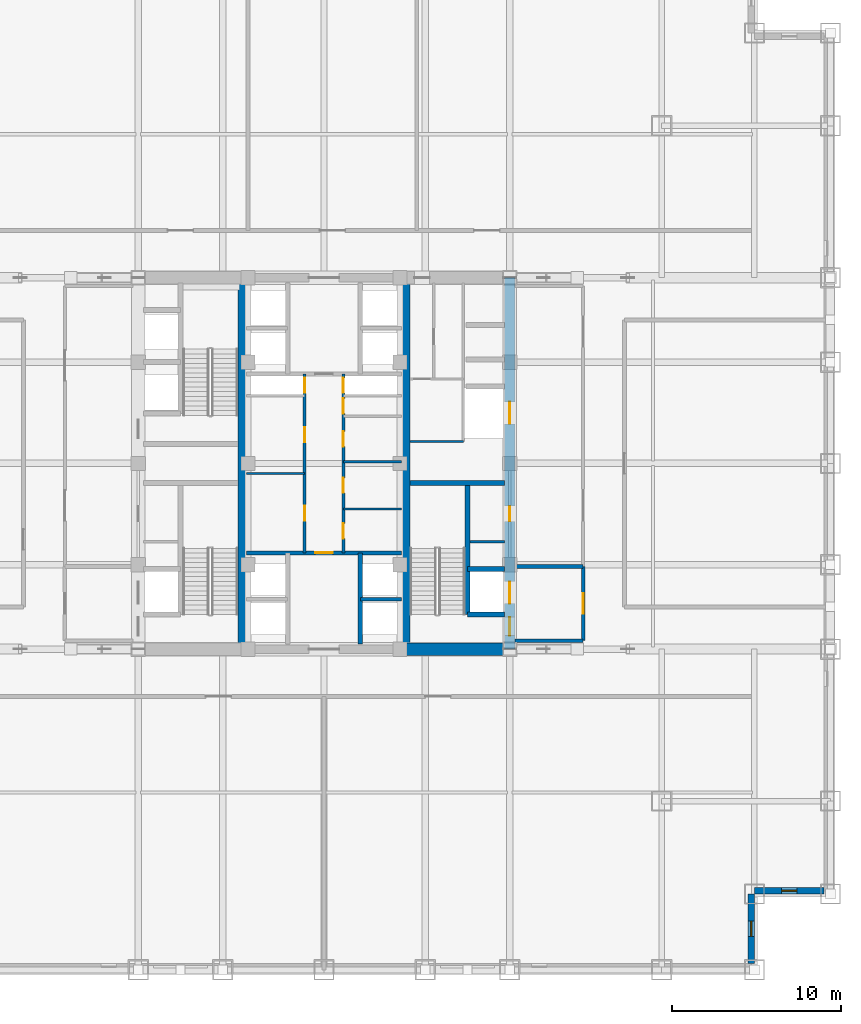
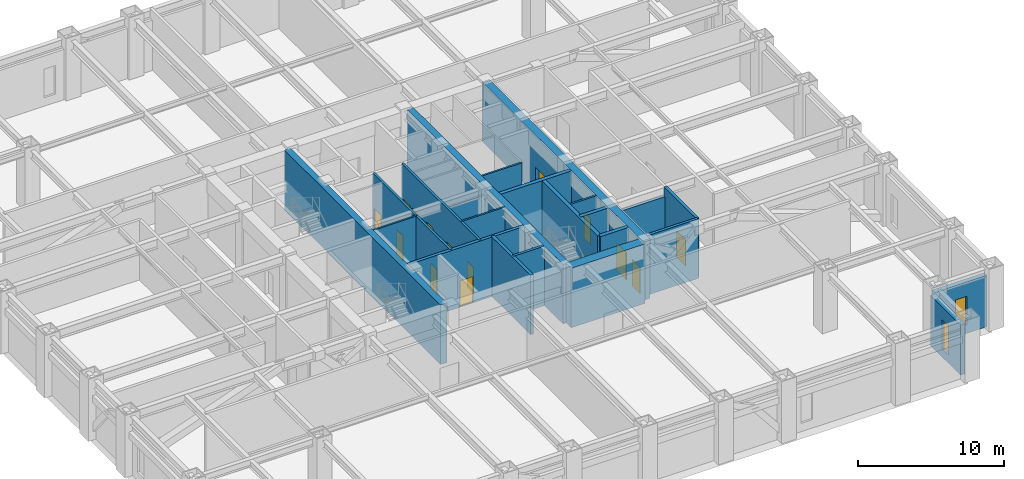
# One storey, part 8 of 12: 23 walls, 14 doors, 2 windows, 16 openings.
"""IFC4 building model written with IfcOpenShell, lengths in metres."""

from ifc_helpers import new_model, si_unit, direction, frame, frame_2d, origin, place, context, subcontext, project, spatial, rectangle, extrude, source, transform, mapped, material, layer, layer_set, type_object, element, fill, save


model = new_model("IFC4")

# Units and contexts
model_context = context("Model", 3, precision=1e-05, world=origin(), true_north=direction((0.0, 1.0)))
body_context = subcontext(model_context, "Body", "Model", "MODEL_VIEW")
ifc_project = project(units=[si_unit("LENGTHUNIT", "METRE"), si_unit("AREAUNIT", "SQUARE_METRE"), si_unit("VOLUMEUNIT", "CUBIC_METRE"), si_unit("PLANEANGLEUNIT", "RADIAN"), si_unit("MASSUNIT", "GRAM", prefix="KILO")], contexts=[model_context])

# Site, building, storey
site_placement = place(None, origin())
site = spatial("IfcSite", under=ifc_project, at=site_placement, CompositionType="ELEMENT")
building_placement = place(site_placement, origin())
building = spatial("IfcBuilding", under=site, at=building_placement, Name="Khorayat Bourse Tower", CompositionType="ELEMENT")
storey_placement = place(building_placement, frame((0.0, 0.0, 149.89990234375)))
storey = spatial("IfcBuildingStorey", under=building, at=storey_placement, Name="L34", CompositionType="ELEMENT", Elevation=149.89990234375)

# Wall, openings, doors
ifc_material_1 = material(Name="Concrete C60/75", Category="concrete")
ifc_layer_1 = layer(ifc_material_1, 0.60009765625)
ifc_layer_set_1 = layer_set([ifc_layer_1], Name="Concrete C60/75")
wall_type_1 = type_object("IfcWallType", Name="WAL-CORE-600", PredefinedType="SHEAR", material=ifc_layer_set_1)
shared_shape_1 = source(origin(), body_context, "Body", "SweptSolid", [
    extrude(rectangle(XDim=22.0, YDim=0.60009765625, at=frame_2d((11.0, 0.0))), origin(), (0.0, 0.0, 1.0), 4.97998046875),
])
wall_1_placement = place(storey_placement, frame((11.0, -11.0, 0.0), z_axis=(0.0, 0.0, 1.0), x_axis=(0.0, 1.0, 0.0)))
wall_1 = element("IfcWall", 1, at=wall_1_placement, inside=storey, type_object=wall_type_1, Name="L34 Core Shear Wall CORE-E", PredefinedType="SHEAR", context=body_context, shape_type="MappedRepresentation", body=[
    mapped(shared_shape_1, transform((0.0, 0.0, 0.0), scale=1.0)),
])
shared_shape_2 = source(origin(), body_context, "Body", "SweptSolid", [
    extrude(rectangle(XDim=1.10009765625, YDim=2.199951171875, at=frame_2d((0.550048828125, 1.10009765625))), frame((0.0, 0.31005859375, 0.0), z_axis=(0.0, -1.0, 0.0), x_axis=(1.0, 0.0, 0.0)), (0.0, 0.0, 1.0), 0.6201171875),
])
opening_1_placement = place(wall_1_placement, frame((0.800048828125, 0.0, 0.0)))
opening_1 = element("IfcOpeningElement", 2, at=opening_1_placement, cuts=wall_1, Name="Opening DI-01", PredefinedType="OPENING", context=body_context, shape_type="MappedRepresentation", body=[
    mapped(shared_shape_2, transform((0.0, 0.0, 0.0), scale=1.0)),
])
shared_shape_3 = source(origin(), body_context, "Body", "SweptSolid", [
    extrude(rectangle(XDim=0.89990234375, YDim=2.14990234375, at=frame_2d((0.449951171875, 1.074951171875))), frame((0.0, 0.31005859375, 0.0), z_axis=(0.0, -1.0, 0.0), x_axis=(1.0, 0.0, 0.0)), (0.0, 0.0, 1.0), 0.6201171875),
])
opening_2_placement = place(wall_1_placement, frame((7.574951171875, 0.0, 0.0)))
opening_2 = element("IfcOpeningElement", 3, at=opening_2_placement, cuts=wall_1, Name="Opening DI-06", PredefinedType="OPENING", context=body_context, shape_type="MappedRepresentation", body=[
    mapped(shared_shape_3, transform((0.0, 0.0, 0.0), scale=1.0)),
])
shared_shape_4 = source(origin(), body_context, "Body", "SweptSolid", [
    extrude(rectangle(XDim=1.300048828125, YDim=2.300048828125, at=frame_2d((0.64990234375, 1.14990234375))), frame((0.0, 0.31005859375, 0.0), z_axis=(0.0, -1.0, 0.0), x_axis=(1.0, 0.0, 0.0)), (0.0, 0.0, 1.0), 0.6201171875),
])
opening_3_placement = place(wall_1_placement, frame((2.699951171875, 0.0, 0.0)))
opening_3 = element("IfcOpeningElement", 4, at=opening_3_placement, cuts=wall_1, Name="Opening LD-02", PredefinedType="OPENING", context=body_context, shape_type="MappedRepresentation", body=[
    mapped(shared_shape_4, transform((0.0, 0.0, 0.0), scale=1.0)),
])
opening_4_placement = place(wall_1_placement, frame((13.35009765625, 0.0, 0.0)))
opening_4 = element("IfcOpeningElement", 5, at=opening_4_placement, cuts=wall_1, Name="Opening LD-02", PredefinedType="OPENING", context=body_context, shape_type="MappedRepresentation", body=[
    mapped(shared_shape_4, transform((0.0, 0.0, 0.0), scale=1.0)),
])
ifc_material_2 = material(Name="Fire-rated steel acoustic leaf", Category="steel")
door_type_1 = type_object("IfcDoorType", Name="DR-INT-STAIR-1100", OperationType="NOTDEFINED", PredefinedType="DOOR", material=ifc_material_2)
shared_shape_5 = source(origin(), body_context, "Body", "SweptSolid", [
    extrude(rectangle(XDim=1.10009765625, YDim=2.199951171875, at=frame_2d((0.550048828125, 1.10009765625))), frame((0.0, 0.02490234375, 0.0), z_axis=(0.0, -1.0, 0.0), x_axis=(1.0, 0.0, 0.0)), (0.0, 0.0, 1.0), 0.050048828125),
])
door_1_placement = place(opening_1_placement, origin())
door_1 = element("IfcDoor", 6, at=door_1_placement, inside=storey, type_object=door_type_1, Name="L34 Exit Stair 3 Door", OperationType="SINGLE_SWING_LEFT", OverallHeight=2.199951171875, OverallWidth=1.10009765625, PredefinedType="DOOR", context=body_context, shape_type="MappedRepresentation", body=[
    mapped(shared_shape_5, transform((0.0, 0.0, 0.0), scale=1.0)),
])
fill(opening_1, door_1)
ifc_material_3 = material(Name="Moisture-resistant laminate washroom door")
door_type_2 = type_object("IfcDoorType", Name="DR-INT-WC-900", OperationType="NOTDEFINED", PredefinedType="DOOR", material=ifc_material_3)
shared_shape_6 = source(origin(), body_context, "Body", "SweptSolid", [
    extrude(rectangle(XDim=0.89990234375, YDim=2.14990234375, at=frame_2d((0.449951171875, 1.074951171875))), frame((0.0, 0.02490234375, 0.0), z_axis=(0.0, -1.0, 0.0), x_axis=(1.0, 0.0, 0.0)), (0.0, 0.0, 1.0), 0.050048828125),
])
door_2_placement = place(opening_2_placement, origin())
door_2 = element("IfcDoor", 7, at=door_2_placement, inside=storey, type_object=door_type_2, Name="L34 Fiber Server Plant Room Door", OperationType="SINGLE_SWING_LEFT", OverallHeight=2.14990234375, OverallWidth=0.89990234375, PredefinedType="DOOR", context=body_context, shape_type="MappedRepresentation", body=[
    mapped(shared_shape_6, transform((0.0, 0.0, 0.0), scale=1.0)),
])
fill(opening_2, door_2)
ifc_material_4 = material(Name="Fire-rated stainless-steel sliding landing door", Category="steel")
door_type_3 = type_object("IfcDoorType", Name="DR-LIFT-FF-1300", OperationType="NOTDEFINED", PredefinedType="DOOR", material=ifc_material_4)
shared_shape_7 = source(origin(), body_context, "Body", "SweptSolid", [
    extrude(rectangle(XDim=1.300048828125, YDim=2.300048828125, at=frame_2d((0.64990234375, 1.14990234375))), frame((0.0, 0.02490234375, 0.0), z_axis=(0.0, -1.0, 0.0), x_axis=(1.0, 0.0, 0.0)), (0.0, 0.0, 1.0), 0.050048828125),
])
door_3_placement = place(opening_3_placement, origin())
door_3 = element("IfcDoor", 8, at=door_3_placement, inside=storey, type_object=door_type_3, Name="L34 Lift FFL-02 Sliding Landing Door", OperationType="SLIDING_TO_LEFT", OverallHeight=2.300048828125, OverallWidth=1.300048828125, PredefinedType="DOOR", context=body_context, shape_type="MappedRepresentation", body=[
    mapped(shared_shape_7, transform((0.0, 0.0, 0.0), scale=1.0)),
])
fill(opening_3, door_3)
door_4_placement = place(opening_4_placement, origin())
door_4 = element("IfcDoor", 9, at=door_4_placement, inside=storey, type_object=door_type_3, Name="L34 Lift SVL-01 Sliding Landing Door", OperationType="SLIDING_TO_LEFT", OverallHeight=2.300048828125, OverallWidth=1.300048828125, PredefinedType="DOOR", context=body_context, shape_type="MappedRepresentation", body=[
    mapped(shared_shape_7, transform((0.0, 0.0, 0.0), scale=1.0)),
])
fill(opening_4, door_4)

# Walls
ifc_material_5 = material(Name="Concrete C52/65", Category="concrete")
ifc_layer_2 = layer(ifc_material_5, 0.5)
ifc_layer_set_2 = layer_set([ifc_layer_2], Name="Concrete C52/65")
wall_type_2 = type_object("IfcWallType", Name="WAL-CORE-500", PredefinedType="SHEAR", material=ifc_layer_set_2)
shared_shape_8 = source(origin(), body_context, "Body", "SweptSolid", [
    extrude(rectangle(XDim=21.39990234375, YDim=0.5, at=frame_2d((10.699951171875, 0.0))), origin(), (0.0, 0.0, 1.0), 4.97998046875),
])
for number, where, z_axis, x_axis, name in (
    (10, (-4.85009765625, -10.699951171875, 0.0), (0.0, 0.0, 1.0), (0.0, 1.0, 0.0), "L34 Core Shear Wall PIER-W"),
    (11, (4.85009765625, -10.699951171875, 0.0), (0.0, 0.0, 1.0), (0.0, 1.0, 0.0), "L34 Core Shear Wall PIER-E"),
):
    element("IfcWall", number, at=place(storey_placement, frame(where, z_axis=z_axis, x_axis=x_axis)), inside=storey, type_object=wall_type_2, Name=name, PredefinedType="SHEAR", context=body_context, shape_type="MappedRepresentation", body=[
        mapped(shared_shape_8, transform((0.0, 0.0, 0.0), scale=1.0)),
    ])
ifc_material_6 = material(Name="Concrete C72/90", Category="concrete")
ifc_layer_3 = layer(ifc_material_6, 0.75)
ifc_layer_set_3 = layer_set([ifc_layer_3], Name="Concrete C72/90")
wall_type_3 = type_object("IfcWallType", Name="WAL-CORE-750", PredefinedType="SHEAR", material=ifc_layer_set_3)
shared_shape_9 = source(origin(), body_context, "Body", "SweptSolid", [
    extrude(rectangle(XDim=5.849853515625, YDim=0.75, at=frame_2d((2.9248046875, 0.0))), origin(), (0.0, 0.0, 1.0), 4.97998046875),
])
wall_2_placement = place(storey_placement, frame((4.85009765625, -11.0, 0.0), z_axis=(0.0, 0.0, 1.0), x_axis=(1.0, 0.0, 0.0)))
element("IfcWall", 12, at=wall_2_placement, inside=storey, type_object=wall_type_3, Name="L34 Core Shear Wall PIER-ES", PredefinedType="SHEAR", context=body_context, shape_type="MappedRepresentation", body=[
    mapped(shared_shape_9, transform((0.0, 0.0, 0.0), scale=1.0)),
])
ifc_material_7 = material(Name="Concrete C50/60", Category="concrete")
ifc_layer_4 = layer(ifc_material_7, 0.300048828125)
ifc_layer_set_4 = layer_set([ifc_layer_4], Name="Concrete C50/60")
wall_type_4 = type_object("IfcWallType", Name="WAL-SHAFT-300", PredefinedType="SHEAR", material=ifc_layer_set_4)
shared_shape_10 = source(origin(), body_context, "Body", "SweptSolid", [
    extrude(rectangle(XDim=5.599853515625, YDim=0.300048828125, at=frame_2d((2.7998046875, 0.0))), origin(), (0.0, 0.0, 1.0), 4.97998046875),
])
wall_3_placement = place(storey_placement, frame((5.10009765625, -1.14990234375, 0.0), z_axis=(0.0, 0.0, 1.0), x_axis=(1.0, 0.0, 0.0)))
element("IfcWall", 13, at=wall_3_placement, inside=storey, type_object=wall_type_4, Name="L34 Core Shear Wall ST3-DIV", PredefinedType="SHEAR", context=body_context, shape_type="MappedRepresentation", body=[
    mapped(shared_shape_10, transform((0.0, 0.0, 0.0), scale=1.0)),
])

# Wall, opening, window
ifc_material_8 = material(Name="Precast concrete C45/55", Category="concrete")
ifc_layer_5 = layer(ifc_material_8, 0.3798828125)
ifc_layer_set_5 = layer_set([ifc_layer_5], Name="Precast concrete C45/55")
wall_type_5 = type_object("IfcWallType", Name="WAL-EXT-STONE-380", PredefinedType="STANDARD", material=ifc_layer_set_5)
shared_shape_11 = source(origin(), body_context, "Body", "SweptSolid", [
    extrude(rectangle(XDim=4.1201171875, YDim=0.3798828125, at=frame_2d((2.06005859375, 0.0))), origin(), (0.0, 0.0, 1.0), 4.28515625),
])
wall_4_placement = place(storey_placement, frame((25.5, -25.31005859375, 0.0), z_axis=(0.0, 0.0, 1.0), x_axis=(1.0, 0.0, 0.0)))
wall_4 = element("IfcWall", 14, at=wall_4_placement, inside=storey, type_object=wall_type_5, Name="L34 Re-Entrant Notch Limestone Wall SE-H", PredefinedType="STANDARD", context=body_context, shape_type="MappedRepresentation", body=[
    mapped(shared_shape_11, transform((0.0, 0.0, 0.0), scale=1.0)),
])
shared_shape_12 = source(origin(), body_context, "Body", "SweptSolid", [
    extrude(rectangle(XDim=0.89990234375, YDim=2.39990234375, at=frame_2d((0.449951171875, 1.199951171875))), frame((0.0, 0.199951171875, 0.0), z_axis=(0.0, -1.0, 0.0), x_axis=(1.0, 0.0, 0.0)), (0.0, 0.0, 1.0), 0.39990234375),
])
opening_5_placement = place(wall_4_placement, frame((1.610107421875, 0.0, 0.699951171875)))
opening_5 = element("IfcOpeningElement", 15, at=opening_5_placement, cuts=wall_4, Name="Opening WN-03", PredefinedType="OPENING", context=body_context, shape_type="MappedRepresentation", body=[
    mapped(shared_shape_12, transform((0.0, 0.0, 0.0), scale=1.0)),
])
ifc_material_9 = material(Name="Deep-reveal solar-control double glazing", Category="glass")
window_type = type_object("IfcWindowType", Name="WIN-SLOT-900x2400", PartitioningType="SINGLE_PANEL", PredefinedType="WINDOW", material=ifc_material_9)
shared_shape_13 = source(origin(), body_context, "Body", "SweptSolid", [
    extrude(rectangle(XDim=0.89990234375, YDim=2.39990234375, at=frame_2d((0.449951171875, 1.199951171875))), frame((0.0, 0.030029296875, 0.0), z_axis=(0.0, -1.0, 0.0), x_axis=(1.0, 0.0, 0.0)), (0.0, 0.0, 1.0), 0.06005859375),
])
window_1_placement = place(opening_5_placement, origin())
window_1 = element("IfcWindow", 16, at=window_1_placement, inside=storey, type_object=window_type, Name="L34 Facade Window 1", OverallHeight=2.39990234375, OverallWidth=0.89990234375, PartitioningType="SINGLE_PANEL", PredefinedType="WINDOW", context=body_context, shape_type="MappedRepresentation", body=[
    mapped(shared_shape_13, transform((0.0, 0.0, 0.0), scale=1.0)),
])
fill(opening_5, window_1)

shared_shape_14 = source(origin(), body_context, "Body", "SweptSolid", [
    extrude(rectangle(XDim=4.1201171875, YDim=0.3798828125, at=frame_2d((2.06005859375, 0.0))), origin(), (0.0, 0.0, 1.0), 4.205078125),
])
wall_5_placement = place(storey_placement, frame((25.31005859375, -29.6201171875, 0.0), z_axis=(0.0, 0.0, 1.0), x_axis=(0.0, 1.0, 0.0)))
wall_5 = element("IfcWall", 17, at=wall_5_placement, inside=storey, type_object=wall_type_5, Name="L34 Re-Entrant Notch Limestone Wall SE-V", PredefinedType="STANDARD", context=body_context, shape_type="MappedRepresentation", body=[
    mapped(shared_shape_14, transform((0.0, 0.0, 0.0), scale=1.0)),
])
opening_6_placement = place(wall_5_placement, frame((1.610107421875, 0.0, 0.699951171875)))
opening_6 = element("IfcOpeningElement", 18, at=opening_6_placement, cuts=wall_5, Name="Opening WN-03", PredefinedType="OPENING", context=body_context, shape_type="MappedRepresentation", body=[
    mapped(shared_shape_12, transform((0.0, 0.0, 0.0), scale=1.0)),
])
window_2_placement = place(opening_6_placement, origin())
window_2 = element("IfcWindow", 19, at=window_2_placement, inside=storey, type_object=window_type, Name="L34 Facade Window 1", OverallHeight=2.39990234375, OverallWidth=0.89990234375, PartitioningType="SINGLE_PANEL", PredefinedType="WINDOW", context=body_context, shape_type="MappedRepresentation", body=[
    mapped(shared_shape_13, transform((0.0, 0.0, 0.0), scale=1.0)),
])
fill(opening_6, window_2)

# Walls
shared_shape_15 = source(origin(), body_context, "Body", "SweptSolid", [
    extrude(rectangle(XDim=7.800048828125, YDim=0.300048828125, at=frame_2d((3.89990234375, 0.0))), origin(), (0.0, 0.0, 1.0), 4.97998046875),
])
wall_6_placement = place(storey_placement, frame((8.5, -8.949951171875, 0.0), z_axis=(0.0, 0.0, 1.0), x_axis=(0.0, 1.0, 0.0)))
element("IfcWall", 20, at=wall_6_placement, inside=storey, type_object=wall_type_4, Name="L34 Partition WAL-L34-EPIER-SP", PredefinedType="SHEAR", context=body_context, shape_type="MappedRepresentation", body=[
    mapped(shared_shape_15, transform((0.0, 0.0, 0.0), scale=1.0)),
])
shared_shape_16 = source(origin(), body_context, "Body", "SweptSolid", [
    extrude(rectangle(XDim=2.199951171875, YDim=0.300048828125, at=frame_2d((1.10009765625, 0.0))), origin(), (0.0, 0.0, 1.0), 4.97998046875),
])
for number, where, z_axis, x_axis, name in (
    (21, (8.5, -8.949951171875, 0.0), (0.0, 0.0, 1.0), (1.0, 0.0, 0.0), "L34 Partition WAL-L34-EPIER-FF2S"),
    (22, (8.5, -6.25, 0.0), (0.0, 0.0, 1.0), (1.0, 0.0, 0.0), "L34 Partition WAL-L34-EPIER-FF2N"),
):
    element("IfcWall", number, at=place(storey_placement, frame(where, z_axis=z_axis, x_axis=x_axis)), inside=storey, type_object=wall_type_4, Name=name, PredefinedType="SHEAR", context=body_context, shape_type="MappedRepresentation", body=[
        mapped(shared_shape_16, transform((0.0, 0.0, 0.0), scale=1.0)),
    ])
ifc_material_10 = material(Name="Gypsum plasterboard twin-frame partition")
ifc_layer_6 = layer(ifc_material_10, 0.14990234375)
ifc_layer_set_6 = layer_set([ifc_layer_6], Name="Gypsum plasterboard twin-frame partition")
wall_type_6 = type_object("IfcWallType", Name="WAL-PART-SUITE-150", PredefinedType="PARTITIONING", material=ifc_layer_set_6)
shared_shape_17 = source(origin(), body_context, "Body", "SweptSolid", [
    extrude(rectangle(XDim=2.050048828125, YDim=0.14990234375, at=frame_2d((1.02490234375, 0.0))), origin(), (0.0, 0.0, 1.0), 4.97998046875),
])
wall_7_placement = place(storey_placement, frame((8.64990234375, -4.64990234375, 0.0), z_axis=(0.0, 0.0, 1.0), x_axis=(1.0, 0.0, 0.0)))
element("IfcWall", 23, at=wall_7_placement, inside=storey, type_object=wall_type_6, Name="L34 Partition WAL-L34-ESRV-S0", PredefinedType="PARTITIONING", context=body_context, shape_type="MappedRepresentation", body=[
    mapped(shared_shape_17, transform((0.0, 0.0, 0.0), scale=1.0)),
])
ifc_material_11 = material(Name="Moisture-resistant masonry partition", Category="masonry")
ifc_layer_7 = layer(ifc_material_11, 0.139892578125)
ifc_layer_set_7 = layer_set([ifc_layer_7], Name="Moisture-resistant masonry partition")
wall_type_7 = type_object("IfcWallType", Name="WAL-PART-WET-140", PredefinedType="PARTITIONING", material=ifc_layer_set_7)
shared_shape_18 = source(origin(), body_context, "Body", "SweptSolid", [
    extrude(rectangle(XDim=3.14990234375, YDim=0.139892578125, at=frame_2d((1.574951171875, 0.0))), origin(), (0.0, 0.0, 1.0), 4.97998046875),
])
wall_8_placement = place(storey_placement, frame((5.10009765625, 1.300048828125, 0.0), z_axis=(0.0, 0.0, 1.0), x_axis=(1.0, 0.0, 0.0)))
element("IfcWall", 24, at=wall_8_placement, inside=storey, type_object=wall_type_7, Name="L34 Partition WAL-L34-ECORE-S", PredefinedType="PARTITIONING", context=body_context, shape_type="MappedRepresentation", body=[
    mapped(shared_shape_18, transform((0.0, 0.0, 0.0), scale=1.0)),
])
ifc_material_12 = material(Name="Aerated concrete blockwork", Category="masonry")
ifc_layer_8 = layer(ifc_material_12, 0.219970703125)
ifc_layer_set_8 = layer_set([ifc_layer_8], Name="Aerated concrete blockwork")
wall_type_8 = type_object("IfcWallType", Name="WAL-PART-FF-220", PredefinedType="PARTITIONING", material=ifc_layer_set_8)
shared_shape_19 = source(origin(), body_context, "Body", "SweptSolid", [
    extrude(rectangle(XDim=4.050048828125, YDim=0.219970703125, at=frame_2d((2.02490234375, 0.0))), origin(), (0.0, 0.0, 1.0), 4.97998046875),
])
wall_9_placement = place(storey_placement, frame((11.300048828125, -10.5, 0.0), z_axis=(0.0, 0.0, 1.0), x_axis=(1.0, 0.0, 0.0)))
element("IfcWall", 25, at=wall_9_placement, inside=storey, type_object=wall_type_8, Name="L34 Partition WAL-L34-FFLE-S", PredefinedType="PARTITIONING", context=body_context, shape_type="MappedRepresentation", body=[
    mapped(shared_shape_19, transform((0.0, 0.0, 0.0), scale=1.0)),
])
shared_shape_20 = source(origin(), body_context, "Body", "SweptSolid", [
    extrude(rectangle(XDim=4.050048828125, YDim=0.219970703125, at=frame_2d((2.02490234375, 0.0))), origin(), (0.0, 0.0, 1.0), 4.20703125),
])
wall_10_placement = place(storey_placement, frame((11.300048828125, -6.10009765625, 0.0), z_axis=(0.0, 0.0, 1.0), x_axis=(1.0, 0.0, 0.0)))
element("IfcWall", 26, at=wall_10_placement, inside=storey, type_object=wall_type_8, Name="L34 Partition WAL-L34-FFLE-N", PredefinedType="PARTITIONING", context=body_context, shape_type="MappedRepresentation", body=[
    mapped(shared_shape_20, transform((0.0, 0.0, 0.0), scale=1.0)),
])

# Wall, opening, door
shared_shape_21 = source(origin(), body_context, "Body", "SweptSolid", [
    extrude(rectangle(XDim=4.39990234375, YDim=0.219970703125, at=frame_2d((2.199951171875, 0.0))), origin(), (0.0, 0.0, 1.0), 4.97998046875),
])
wall_11_placement = place(storey_placement, frame((15.35009765625, -10.5, 0.0), z_axis=(0.0, 0.0, 1.0), x_axis=(0.0, 1.0, 0.0)))
wall_11 = element("IfcWall", 27, at=wall_11_placement, inside=storey, type_object=wall_type_8, Name="L34 Partition WAL-L34-FFLE-E", PredefinedType="PARTITIONING", context=body_context, shape_type="MappedRepresentation", body=[
    mapped(shared_shape_21, transform((0.0, 0.0, 0.0), scale=1.0)),
])
shared_shape_22 = source(origin(), body_context, "Body", "SweptSolid", [
    extrude(rectangle(XDim=1.199951171875, YDim=2.199951171875, at=frame_2d((0.60009765625, 1.10009765625))), frame((0.0, 0.119873046875, 0.0), z_axis=(0.0, -1.0, 0.0), x_axis=(1.0, 0.0, 0.0)), (0.0, 0.0, 1.0), 0.239990234375),
])
opening_7_placement = place(wall_11_placement, frame((1.60009765625, 0.0, 0.0)))
opening_7 = element("IfcOpeningElement", 28, at=opening_7_placement, cuts=wall_11, Name="Opening DI-02", PredefinedType="OPENING", context=body_context, shape_type="MappedRepresentation", body=[
    mapped(shared_shape_22, transform((0.0, 0.0, 0.0), scale=1.0)),
])
ifc_material_13 = material(Name="Fire-rated steel double-seal leaf", Category="steel")
door_type_4 = type_object("IfcDoorType", Name="DR-INT-FFLOBBY-1200", OperationType="NOTDEFINED", PredefinedType="DOOR", material=ifc_material_13)
shared_shape_23 = source(origin(), body_context, "Body", "SweptSolid", [
    extrude(rectangle(XDim=1.199951171875, YDim=2.199951171875, at=frame_2d((0.60009765625, 1.10009765625))), frame((0.0, 0.02490234375, 0.0), z_axis=(0.0, -1.0, 0.0), x_axis=(1.0, 0.0, 0.0)), (0.0, 0.0, 1.0), 0.050048828125),
])
door_5_placement = place(opening_7_placement, origin())
door_5 = element("IfcDoor", 29, at=door_5_placement, inside=storey, type_object=door_type_4, Name="L34 East Firefighting Lobby Door", OperationType="SINGLE_SWING_RIGHT", OverallHeight=2.199951171875, OverallWidth=1.199951171875, PredefinedType="DOOR", context=body_context, shape_type="MappedRepresentation", body=[
    mapped(shared_shape_23, transform((0.0, 0.0, 0.0), scale=1.0)),
])
fill(opening_7, door_5)

# Walls
shared_shape_24 = source(origin(), body_context, "Body", "SweptSolid", [
    extrude(rectangle(XDim=5.39990234375, YDim=0.25, at=frame_2d((2.699951171875, 0.0))), origin(), (0.0, 0.0, 1.0), 4.97998046875),
])
wall_12_placement = place(storey_placement, frame((2.14990234375, -10.699951171875, 0.0), z_axis=(0.0, 0.0, 1.0), x_axis=(0.0, 1.0, 0.0)))
element("IfcWall", 30, at=wall_12_placement, inside=storey, type_object=wall_type_4, Name="L34 Partition WAL-L34-B1-E", PredefinedType="SHEAR", context=body_context, shape_type="MappedRepresentation", body=[
    mapped(shared_shape_24, transform((0.0, 0.0, 0.0), scale=1.0)),
])
shared_shape_25 = source(origin(), body_context, "Body", "SweptSolid", [
    extrude(rectangle(XDim=2.4501953125, YDim=0.199951171875, at=frame_2d((1.22509765625, 0.0))), origin(), (0.0, 0.0, 1.0), 4.97998046875),
])
wall_13_placement = place(storey_placement, frame((2.14990234375, -8.050048828125, 0.0), z_axis=(0.0, 0.0, 1.0), x_axis=(1.0, 0.0, 0.0)))
element("IfcWall", 31, at=wall_13_placement, inside=storey, type_object=wall_type_4, Name="L34 Partition WAL-L34-B1-ME", PredefinedType="SHEAR", context=body_context, shape_type="MappedRepresentation", body=[
    mapped(shared_shape_25, transform((0.0, 0.0, 0.0), scale=1.0)),
])

# Wall, opening, door
shared_shape_26 = source(origin(), body_context, "Body", "SweptSolid", [
    extrude(rectangle(XDim=9.2001953125, YDim=0.25, at=frame_2d((4.60009765625, 0.0))), origin(), (0.0, 0.0, 1.0), 4.97998046875),
])
wall_14_placement = place(storey_placement, frame((-4.60009765625, -5.300048828125, 0.0), z_axis=(0.0, 0.0, 1.0), x_axis=(1.0, 0.0, 0.0)))
wall_14 = element("IfcWall", 32, at=wall_14_placement, inside=storey, type_object=wall_type_4, Name="L34 Partition WAL-L34-B1-N", PredefinedType="SHEAR", context=body_context, shape_type="MappedRepresentation", body=[
    mapped(shared_shape_26, transform((0.0, 0.0, 0.0), scale=1.0)),
])
shared_shape_27 = source(origin(), body_context, "Body", "SweptSolid", [
    extrude(rectangle(XDim=1.050048828125, YDim=2.199951171875, at=frame_2d((0.52490234375, 1.10009765625))), frame((0.0, 0.135009765625, 0.0), z_axis=(0.0, -1.0, 0.0), x_axis=(1.0, 0.0, 0.0)), (0.0, 0.0, 1.0), 0.27001953125),
])
opening_8_placement = place(wall_14_placement, frame((4.074951171875, 0.0, 0.0)))
opening_8 = element("IfcOpeningElement", 33, at=opening_8_placement, cuts=wall_14, Name="Opening DI-04", PredefinedType="OPENING", context=body_context, shape_type="MappedRepresentation", body=[
    mapped(shared_shape_27, transform((0.0, 0.0, 0.0), scale=1.0)),
])
ifc_material_14 = material(Name="Fire-rated oak veneer suite entrance door")
door_type_5 = type_object("IfcDoorType", Name="DR-INT-SUITE-1050", OperationType="NOTDEFINED", PredefinedType="DOOR", material=ifc_material_14)
shared_shape_28 = source(origin(), body_context, "Body", "SweptSolid", [
    extrude(rectangle(XDim=1.050048828125, YDim=2.199951171875, at=frame_2d((0.52490234375, 1.10009765625))), frame((0.0, 0.02490234375, 0.0), z_axis=(0.0, -1.0, 0.0), x_axis=(1.0, 0.0, 0.0)), (0.0, 0.0, 1.0), 0.050048828125),
])
door_6_placement = place(opening_8_placement, origin())
door_6 = element("IfcDoor", 34, at=door_6_placement, inside=storey, type_object=door_type_5, Name="L34 Core Spine South Door", OperationType="SINGLE_SWING_LEFT", OverallHeight=2.199951171875, OverallWidth=1.050048828125, PredefinedType="DOOR", context=body_context, shape_type="MappedRepresentation", body=[
    mapped(shared_shape_28, transform((0.0, 0.0, 0.0), scale=1.0)),
])
fill(opening_8, door_6)

# Walls
shared_shape_29 = source(origin(), body_context, "Body", "SweptSolid", [
    extrude(rectangle(XDim=3.4501953125, YDim=0.139892578125, at=frame_2d((1.72509765625, 0.0))), origin(), (0.0, 0.0, 1.0), 4.97998046875),
])
for number, where, z_axis, x_axis, name in (
    (35, (-4.60009765625, -0.60009765625, 0.0), (0.0, 0.0, 1.0), (1.0, 0.0, 0.0), "L34 Partition WAL-L34-CMW-D1"),
    (36, (1.14990234375, -2.699951171875, 0.0), (0.0, 0.0, 1.0), (1.0, 0.0, 0.0), "L34 Partition WAL-L34-CME-D1"),
):
    element("IfcWall", number, at=place(storey_placement, frame(where, z_axis=z_axis, x_axis=x_axis)), inside=storey, type_object=wall_type_7, Name=name, PredefinedType="PARTITIONING", context=body_context, shape_type="MappedRepresentation", body=[
        mapped(shared_shape_29, transform((0.0, 0.0, 0.0), scale=1.0)),
    ])

# Wall, openings, doors
ifc_material_15 = material(Name="Gypsum plasterboard acoustic stud wall")
ifc_layer_9 = layer(ifc_material_15, 0.179931640625)
ifc_layer_set_9 = layer_set([ifc_layer_9], Name="Gypsum plasterboard acoustic stud wall")
wall_type_9 = type_object("IfcWallType", Name="WAL-PART-CORR-180", PredefinedType="PARTITIONING", material=ifc_layer_set_9)
shared_shape_30 = source(origin(), body_context, "Body", "SweptSolid", [
    extrude(rectangle(XDim=10.60009765625, YDim=0.179931640625, at=frame_2d((5.300048828125, 0.0))), origin(), (0.0, 0.0, 1.0), 4.97998046875),
])
wall_15_placement = place(storey_placement, frame((-1.14990234375, -5.300048828125, 0.0), z_axis=(0.0, 0.0, 1.0), x_axis=(0.0, 1.0, 0.0)))
wall_15 = element("IfcWall", 37, at=wall_15_placement, inside=storey, type_object=wall_type_9, Name="L34 Partition WAL-L34-CMW-L", PredefinedType="PARTITIONING", context=body_context, shape_type="MappedRepresentation", body=[
    mapped(shared_shape_30, transform((0.0, 0.0, 0.0), scale=1.0)),
])
shared_shape_31 = source(origin(), body_context, "Body", "SweptSolid", [
    extrude(rectangle(XDim=0.89990234375, YDim=2.14990234375, at=frame_2d((0.449951171875, 1.074951171875))), frame((0.0, 0.099853515625, 0.0), z_axis=(0.0, -1.0, 0.0), x_axis=(1.0, 0.0, 0.0)), (0.0, 0.0, 1.0), 0.199951171875),
])
opening_9_placement = place(wall_15_placement, frame((1.89990234375, 0.0, 0.0)))
opening_9 = element("IfcOpeningElement", 38, at=opening_9_placement, cuts=wall_15, Name="Opening DI-06", PredefinedType="OPENING", context=body_context, shape_type="MappedRepresentation", body=[
    mapped(shared_shape_31, transform((0.0, 0.0, 0.0), scale=1.0)),
])
opening_10_placement = place(wall_15_placement, frame((6.550048828125, 0.0, 0.0)))
opening_10 = element("IfcOpeningElement", 39, at=opening_10_placement, cuts=wall_15, Name="Opening DI-06", PredefinedType="OPENING", context=body_context, shape_type="MappedRepresentation", body=[
    mapped(shared_shape_31, transform((0.0, 0.0, 0.0), scale=1.0)),
])
opening_11_placement = place(wall_15_placement, frame((9.47509765625, 0.0, 0.0)))
opening_11 = element("IfcOpeningElement", 40, at=opening_11_placement, cuts=wall_15, Name="Opening DI-06", PredefinedType="OPENING", context=body_context, shape_type="MappedRepresentation", body=[
    mapped(shared_shape_31, transform((0.0, 0.0, 0.0), scale=1.0)),
])
door_7_placement = place(opening_9_placement, origin())
door_7 = element("IfcDoor", 41, at=door_7_placement, inside=storey, type_object=door_type_2, Name="L34 Male Core Washroom Door", OperationType="SINGLE_SWING_RIGHT", OverallHeight=2.14990234375, OverallWidth=0.89990234375, PredefinedType="DOOR", context=body_context, shape_type="MappedRepresentation", body=[
    mapped(shared_shape_6, transform((0.0, 0.0, 0.0), scale=1.0)),
])
fill(opening_9, door_7)
door_8_placement = place(opening_10_placement, origin())
door_8 = element("IfcDoor", 42, at=door_8_placement, inside=storey, type_object=door_type_2, Name="L34 Chilled Water Riser Plant Room Door", OperationType="SINGLE_SWING_LEFT", OverallHeight=2.14990234375, OverallWidth=0.89990234375, PredefinedType="DOOR", context=body_context, shape_type="MappedRepresentation", body=[
    mapped(shared_shape_6, transform((0.0, 0.0, 0.0), scale=1.0)),
])
fill(opening_10, door_8)
door_9_placement = place(opening_11_placement, origin())
door_9 = element("IfcDoor", 43, at=door_9_placement, inside=storey, type_object=door_type_2, Name="L34 West Core Riser Door", OperationType="SINGLE_SWING_LEFT", OverallHeight=2.14990234375, OverallWidth=0.89990234375, PredefinedType="DOOR", context=body_context, shape_type="MappedRepresentation", body=[
    mapped(shared_shape_6, transform((0.0, 0.0, 0.0), scale=1.0)),
])
fill(opening_11, door_9)

wall_16_placement = place(storey_placement, frame((1.14990234375, -5.300048828125, 0.0), z_axis=(0.0, 0.0, 1.0), x_axis=(0.0, 1.0, 0.0)))
wall_16 = element("IfcWall", 44, at=wall_16_placement, inside=storey, type_object=wall_type_9, Name="L34 Partition WAL-L34-CME-L", PredefinedType="PARTITIONING", context=body_context, shape_type="MappedRepresentation", body=[
    mapped(shared_shape_30, transform((0.0, 0.0, 0.0), scale=1.0)),
])
opening_12_placement = place(wall_16_placement, frame((0.85009765625, 0.0, 0.0)))
opening_12 = element("IfcOpeningElement", 45, at=opening_12_placement, cuts=wall_16, Name="Opening DI-06", PredefinedType="OPENING", context=body_context, shape_type="MappedRepresentation", body=[
    mapped(shared_shape_31, transform((0.0, 0.0, 0.0), scale=1.0)),
])
opening_13_placement = place(wall_16_placement, frame((3.550048828125, 0.0, 0.0)))
opening_13 = element("IfcOpeningElement", 46, at=opening_13_placement, cuts=wall_16, Name="Opening DI-06", PredefinedType="OPENING", context=body_context, shape_type="MappedRepresentation", body=[
    mapped(shared_shape_31, transform((0.0, 0.0, 0.0), scale=1.0)),
])
opening_14_placement = place(wall_16_placement, frame((6.300048828125, 0.0, 0.0)))
opening_14 = element("IfcOpeningElement", 47, at=opening_14_placement, cuts=wall_16, Name="Opening DI-06", PredefinedType="OPENING", context=body_context, shape_type="MappedRepresentation", body=[
    mapped(shared_shape_31, transform((0.0, 0.0, 0.0), scale=1.0)),
])
opening_15_placement = place(wall_16_placement, frame((8.25, 0.0, 0.0)))
opening_15 = element("IfcOpeningElement", 48, at=opening_15_placement, cuts=wall_16, Name="Opening DI-06", PredefinedType="OPENING", context=body_context, shape_type="MappedRepresentation", body=[
    mapped(shared_shape_31, transform((0.0, 0.0, 0.0), scale=1.0)),
])
opening_16_placement = place(wall_16_placement, frame((9.47509765625, 0.0, 0.0)))
opening_16 = element("IfcOpeningElement", 49, at=opening_16_placement, cuts=wall_16, Name="Opening DI-06", PredefinedType="OPENING", context=body_context, shape_type="MappedRepresentation", body=[
    mapped(shared_shape_31, transform((0.0, 0.0, 0.0), scale=1.0)),
])
door_10_placement = place(opening_12_placement, origin())
door_10 = element("IfcDoor", 50, at=door_10_placement, inside=storey, type_object=door_type_2, Name="L34 Female Core Washroom Door", OperationType="SINGLE_SWING_RIGHT", OverallHeight=2.14990234375, OverallWidth=0.89990234375, PredefinedType="DOOR", context=body_context, shape_type="MappedRepresentation", body=[
    mapped(shared_shape_6, transform((0.0, 0.0, 0.0), scale=1.0)),
])
fill(opening_12, door_10)
door_11_placement = place(opening_13_placement, origin())
door_11 = element("IfcDoor", 51, at=door_11_placement, inside=storey, type_object=door_type_2, Name="L34 Comms Patch Room Door", OperationType="SINGLE_SWING_LEFT", OverallHeight=2.14990234375, OverallWidth=0.89990234375, PredefinedType="DOOR", context=body_context, shape_type="MappedRepresentation", body=[
    mapped(shared_shape_6, transform((0.0, 0.0, 0.0), scale=1.0)),
])
fill(opening_13, door_11)
door_12_placement = place(opening_14_placement, origin())
door_12 = element("IfcDoor", 52, at=door_12_placement, inside=storey, type_object=door_type_2, Name="L34 Janitor Cupboard Door", OperationType="SINGLE_SWING_RIGHT", OverallHeight=2.14990234375, OverallWidth=0.89990234375, PredefinedType="DOOR", context=body_context, shape_type="MappedRepresentation", body=[
    mapped(shared_shape_6, transform((0.0, 0.0, 0.0), scale=1.0)),
])
fill(opening_14, door_12)
door_13_placement = place(opening_15_placement, origin())
door_13 = element("IfcDoor", 53, at=door_13_placement, inside=storey, type_object=door_type_2, Name="L34 Fire Valve Plant Room Door", OperationType="SINGLE_SWING_LEFT", OverallHeight=2.14990234375, OverallWidth=0.89990234375, PredefinedType="DOOR", context=body_context, shape_type="MappedRepresentation", body=[
    mapped(shared_shape_6, transform((0.0, 0.0, 0.0), scale=1.0)),
])
fill(opening_15, door_13)
door_14_placement = place(opening_16_placement, origin())
door_14 = element("IfcDoor", 54, at=door_14_placement, inside=storey, type_object=door_type_2, Name="L34 East Core Riser Door", OperationType="SINGLE_SWING_RIGHT", OverallHeight=2.14990234375, OverallWidth=0.89990234375, PredefinedType="DOOR", context=body_context, shape_type="MappedRepresentation", body=[
    mapped(shared_shape_6, transform((0.0, 0.0, 0.0), scale=1.0)),
])
fill(opening_16, door_14)

# Wall
shared_shape_32 = source(origin(), body_context, "Body", "SweptSolid", [
    extrude(rectangle(XDim=3.4501953125, YDim=0.139892578125, at=frame_2d((1.72509765625, 0.0))), origin(), (0.0, 0.0, 1.0), 4.28515625),
])
wall_17_placement = place(storey_placement, frame((1.14990234375, 0.10009765625, 0.0), z_axis=(0.0, 0.0, 1.0), x_axis=(1.0, 0.0, 0.0)))
element("IfcWall", 55, at=wall_17_placement, inside=storey, type_object=wall_type_7, Name="L34 Partition WAL-L34-CME-D2", PredefinedType="PARTITIONING", context=body_context, shape_type="MappedRepresentation", body=[
    mapped(shared_shape_32, transform((0.0, 0.0, 0.0), scale=1.0)),
])

save(model, "model.ifc")
